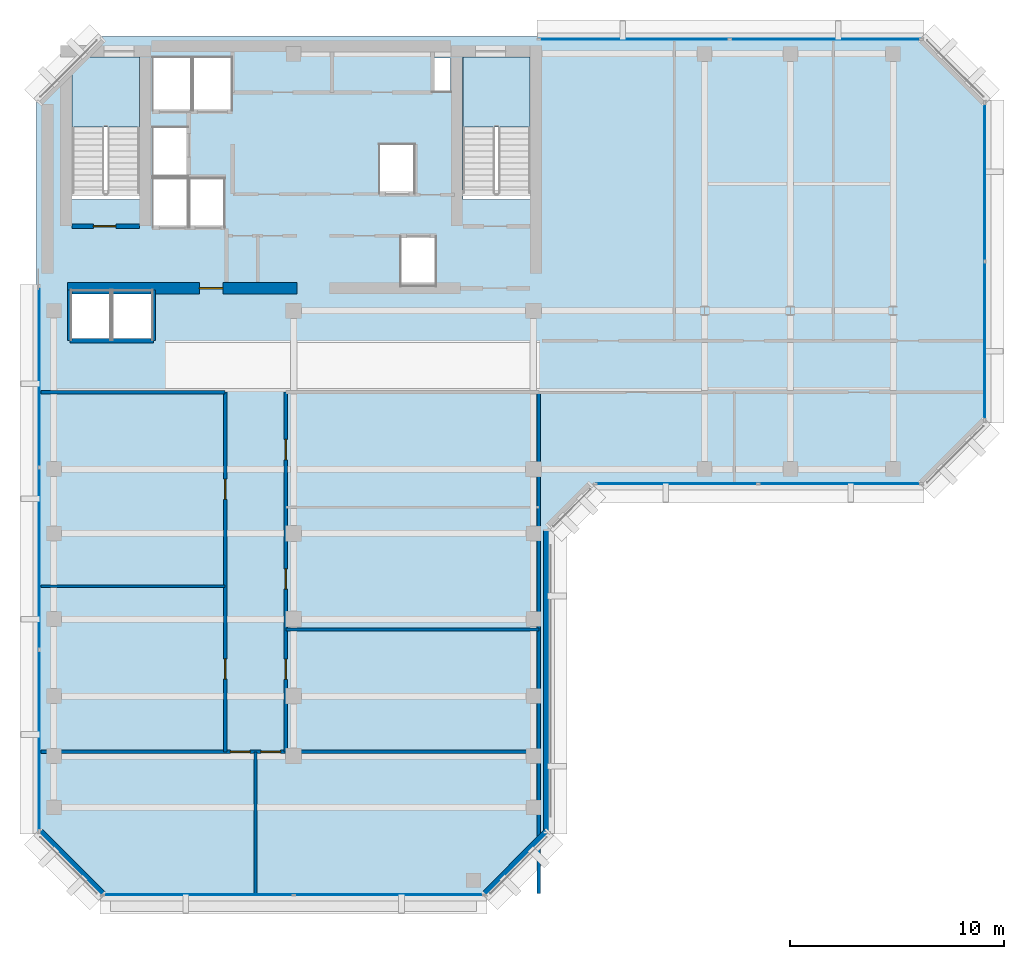
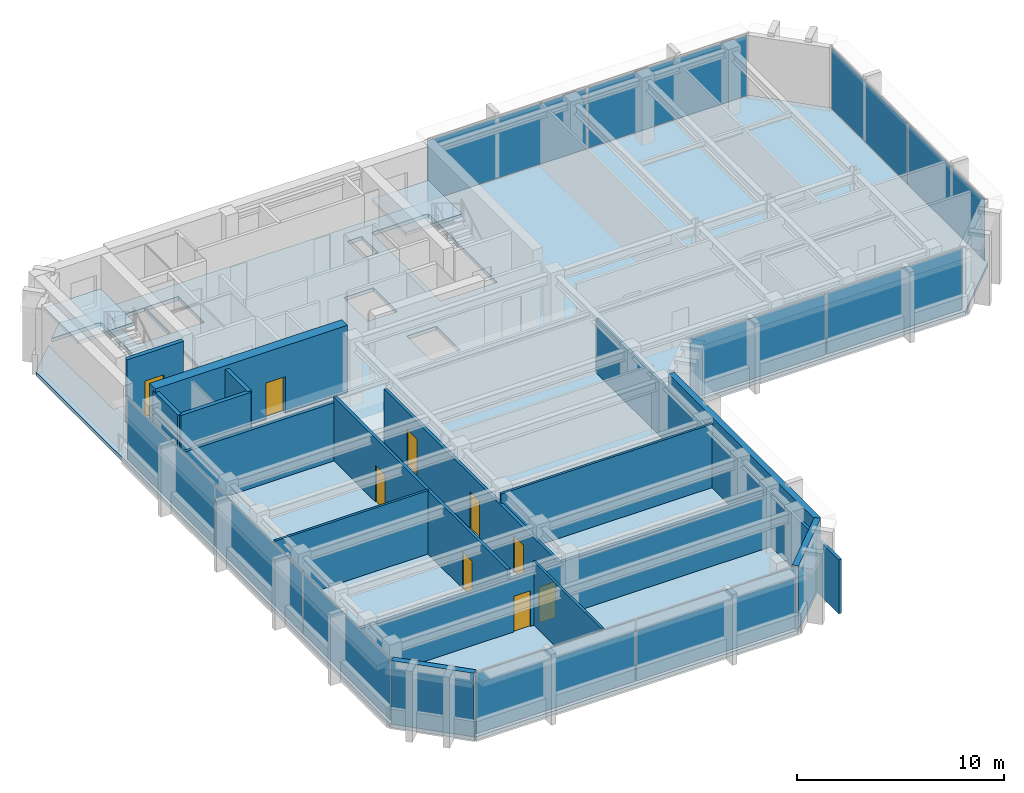
# One storey, part 6 of 11: 16 walls, 11 plates, 9 doors, 3 slabs, 9 openings, 7 elements without a shape of their own.
"""IFC4 building model written with IfcOpenShell, lengths in metres."""

from ifc_helpers import new_model, si_unit, direction, frame, frame_2d, origin, origin_2d, place, context, subcontext, project, spatial, polyline, rectangle, outline, extrude, material, layer, layer_set, type_object, element, fill, aggregate, save


model = new_model("IFC4")

# Units and contexts
model_context = context("Model", 3, precision=1e-05, world=origin(), true_north=direction((0.0, 1.0)))
body_context = subcontext(model_context, "Body", "Model", "MODEL_VIEW")
ifc_project = project(units=[si_unit("LENGTHUNIT", "METRE"), si_unit("AREAUNIT", "SQUARE_METRE"), si_unit("VOLUMEUNIT", "CUBIC_METRE"), si_unit("PLANEANGLEUNIT", "RADIAN"), si_unit("MASSUNIT", "GRAM", prefix="KILO")], contexts=[model_context])

# Site, building, storey
site_placement = place(None, origin())
site = spatial("IfcSite", under=ifc_project, at=site_placement, CompositionType="ELEMENT")
building_placement = place(site_placement, origin())
building = spatial("IfcBuilding", under=site, at=building_placement, Name="Kefirva Bronze Tower", CompositionType="ELEMENT")
storey_placement = place(building_placement, frame((0.0, 0.0, 299.969970703125)))
storey = spatial("IfcBuildingStorey", under=building, at=storey_placement, Name="L73", CompositionType="ELEMENT", Elevation=299.969970703125)

# Stair, slab
ifc_material_1 = material(Name="Concrete C40/50", Category="concrete")
stair_type = type_object("IfcStairType", Name="RC Dogleg Protected Stair 24R", PredefinedType="HALF_TURN_STAIR", material=ifc_material_1)
stair_1_placement = place(storey_placement, origin())
stair_1 = element("IfcStair", 1, at=stair_1_placement, inside=storey, type_object=stair_type, Name="L73 Protected Exit Stair 1", PredefinedType="HALF_TURN_STAIR")
ifc_layer_1 = layer(ifc_material_1, 0.199951171875, Name="Concrete C40/50")
ifc_layer_set_1 = layer_set([ifc_layer_1], Name="Concrete C40/50")
slab_type_1 = type_object("IfcSlabType", Name="RC Stair Landing Slab 200mm", PredefinedType="LANDING", material=ifc_layer_set_1)
slab_1_placement = place(storey_placement, frame((0.0, 0.0, 1.780029296875)))
slab_1 = element("IfcSlab", 2, at=slab_1_placement, type_object=slab_type_1, Name="ST-1 landing 1", PredefinedType="LANDING", context=body_context, shape_type="SweptSolid", body=[
    extrude(outline(polyline([(4.800048828125, 41.780029296875), (4.800048828125, 45.050048828125), (1.64990234375, 45.050048828125), (1.64990234375, 41.780029296875), (4.800048828125, 41.780029296875)])), origin(), (0.0, 0.0, 1.0), 0.199951171875),
])
aggregate(stair_1, [slab_1])

stair_2_placement = place(storey_placement, origin())
stair_2 = element("IfcStair", 3, at=stair_2_placement, inside=storey, type_object=stair_type, Name="L73 Protected Exit Stair 2", PredefinedType="HALF_TURN_STAIR")
slab_2_placement = place(storey_placement, frame((0.0, 0.0, 1.780029296875)))
slab_2 = element("IfcSlab", 4, at=slab_2_placement, type_object=slab_type_1, Name="ST-2 landing 1", PredefinedType="LANDING", context=body_context, shape_type="SweptSolid", body=[
    extrude(outline(polyline([(23.050048828125, 41.780029296875), (23.050048828125, 45.050048828125), (19.89990234375, 45.050048828125), (19.89990234375, 41.780029296875), (23.050048828125, 41.780029296875)])), origin(), (0.0, 0.0, 1.0), 0.199951171875),
])
aggregate(stair_2, [slab_2])

# Slab
ifc_layer_2 = layer(ifc_material_1, 0.219970703125, Name="Concrete C40/50")
ifc_layer_set_2 = layer_set([ifc_layer_2], Name="Concrete C40/50")
slab_type_2 = type_object("IfcSlabType", Name="RC Upper Floor Slab 220mm", PredefinedType="FLOOR", material=ifc_layer_set_2)
slab_3_placement = place(storey_placement, frame((0.0, 0.0, -0.219970703125)))
element("IfcSlab", 5, at=slab_3_placement, inside=storey, type_object=slab_type_2, Name="L73 Structural Floor Slab", PredefinedType="FLOOR", context=body_context, shape_type="SweptSolid", body=[
    extrude(outline(polyline([(0.0, 8.800048828125), (0.0, 43.0), (1.64990234375, 44.64990234375), (1.64990234375, 38.39990234375), (4.800048828125, 38.39990234375), (4.800048828125, 45.050048828125), (2.050048828125, 45.050048828125), (3.0, 46.0), (41.39990234375, 46.0), (44.39990234375, 43.0), (44.39990234375, 28.0), (41.39990234375, 25.0), (26.0, 25.0), (24.0, 23.0), (24.0, 8.800048828125), (21.0, 5.800048828125), (3.0, 5.800048828125), (0.0, 8.800048828125)]), holes=[polyline([(23.050048828125, 45.050048828125), (19.89990234375, 45.050048828125), (19.89990234375, 38.39990234375), (23.050048828125, 38.39990234375), (23.050048828125, 45.050048828125)]), polyline([(19.320068359375, 43.419921875), (19.320068359375, 45.0), (18.52001953125, 45.0), (18.52001953125, 43.419921875), (19.320068359375, 43.419921875)]), polyline([(18.64990234375, 36.64990234375), (17.0, 36.64990234375), (17.0, 34.35009765625), (18.64990234375, 34.35009765625), (18.64990234375, 36.64990234375)]), polyline([(17.64990234375, 38.679931640625), (17.64990234375, 40.97998046875), (16.0, 40.97998046875), (16.0, 38.679931640625), (17.64990234375, 38.679931640625)]), polyline([(9.1201171875, 42.550048828125), (9.1201171875, 45.050048828125), (7.300048828125, 45.050048828125), (7.300048828125, 42.550048828125), (9.1201171875, 42.550048828125)]), polyline([(8.780029296875, 37.10009765625), (8.780029296875, 39.39990234375), (7.139892578125, 39.39990234375), (7.139892578125, 37.10009765625), (8.780029296875, 37.10009765625)]), polyline([(7.239990234375, 42.550048828125), (7.239990234375, 45.050048828125), (5.419921875, 45.050048828125), (5.419921875, 42.550048828125), (7.239990234375, 42.550048828125)]), polyline([(7.06005859375, 37.10009765625), (7.06005859375, 39.39990234375), (5.419921875, 39.39990234375), (5.419921875, 37.10009765625), (7.06005859375, 37.10009765625)]), polyline([(7.06005859375, 41.780029296875), (5.419921875, 41.780029296875), (5.419921875, 39.47998046875), (7.06005859375, 39.47998046875), (7.06005859375, 41.780029296875)]), polyline([(5.39990234375, 31.85009765625), (5.39990234375, 34.14990234375), (3.550048828125, 34.14990234375), (3.550048828125, 31.85009765625), (5.39990234375, 31.85009765625)]), polyline([(3.449951171875, 34.14990234375), (1.60009765625, 34.14990234375), (1.60009765625, 31.85009765625), (3.449951171875, 31.85009765625), (3.449951171875, 34.14990234375)])]), origin(), (0.0, 0.0, 1.0), 0.219970703125),
])

# Curtain wall, plates
ifc_material_2 = material(Name="Bronze anodised aluminium", Category="aluminium")
ifc_layer_3 = layer(ifc_material_2, 0.179931640625, Name="Bronze anodised aluminium")
ifc_layer_set_3 = layer_set([ifc_layer_3], Name="Bronze anodised aluminium")
curtain_wall_type = type_object("IfcCurtainWallType", Name="Unitised Bronze Ribbon Curtain Wall Zone 4", PredefinedType="USERDEFINED", material=ifc_layer_set_3)
curtain_wall_1_placement = place(storey_placement, origin())
curtain_wall_1 = element("IfcCurtainWall", 6, at=curtain_wall_1_placement, inside=storey, type_object=curtain_wall_type, Name="L73 Curtain Wall 1", ObjectType="UNITISED CURTAIN WALL", PredefinedType="USERDEFINED")
ifc_material_3 = material(Name="Laminated low-E double glazing", Category="glass")
ifc_layer_4 = layer(ifc_material_3, 0.031982421875, Name="Laminated low-E double glazing")
ifc_layer_set_4 = layer_set([ifc_layer_4], Name="Laminated low-E double glazing")
plate_type = type_object("IfcPlateType", Name="Solar-Control Low-E Vision Panel 32mm", PredefinedType="CURTAIN_PANEL", material=ifc_layer_set_4)
plate_1_placement = place(storey_placement, frame((7.546142578125, 5.919921875, 0.0751953125), z_axis=(0.0, 0.0, 1.0), x_axis=(1.0, 0.0, 0.0)))
plate_1 = element("IfcPlate", 7, at=plate_1_placement, type_object=plate_type, Name="CW-04 panel 1.1", PredefinedType="CURTAIN_PANEL", context=body_context, shape_type="SweptSolid", body=[
    extrude(rectangle(XDim=8.83251953125, YDim=0.031982421875, at=origin_2d()), origin(), (0.0, 0.0, 1.0), 3.590087890625),
])
plate_2_placement = place(storey_placement, frame((16.453857421875, 5.919921875, 0.0751953125), z_axis=(0.0, 0.0, 1.0), x_axis=(1.0, 0.0, 0.0)))
plate_2 = element("IfcPlate", 8, at=plate_2_placement, type_object=plate_type, Name="CW-04 panel 2.1", PredefinedType="CURTAIN_PANEL", context=body_context, shape_type="SweptSolid", body=[
    extrude(rectangle(XDim=8.83251953125, YDim=0.031982421875, at=origin_2d()), origin(), (0.0, 0.0, 1.0), 3.590087890625),
])
aggregate(curtain_wall_1, [plate_1, plate_2])

curtain_wall_2_placement = place(storey_placement, origin())
curtain_wall_2 = element("IfcCurtainWall", 9, at=curtain_wall_2_placement, inside=storey, type_object=curtain_wall_type, Name="L73 Curtain Wall 2", ObjectType="UNITISED CURTAIN WALL", PredefinedType="USERDEFINED")
plate_3_placement = place(storey_placement, frame((29.896240234375, 25.1201171875, 0.0751953125), z_axis=(0.0, 0.0, 1.0), x_axis=(1.0, 0.0, 0.0)))
plate_3 = element("IfcPlate", 10, at=plate_3_placement, type_object=plate_type, Name="CW-04 panel 1.1", PredefinedType="CURTAIN_PANEL", context=body_context, shape_type="SweptSolid", body=[
    extrude(rectangle(XDim=7.532470703125, YDim=0.031982421875, at=origin_2d()), origin(), (0.0, 0.0, 1.0), 3.590087890625),
])
plate_4_placement = place(storey_placement, frame((37.503662109375, 25.1201171875, 0.0751953125), z_axis=(0.0, 0.0, 1.0), x_axis=(1.0, 0.0, 0.0)))
plate_4 = element("IfcPlate", 11, at=plate_4_placement, type_object=plate_type, Name="CW-04 panel 2.1", PredefinedType="CURTAIN_PANEL", context=body_context, shape_type="SweptSolid", body=[
    extrude(rectangle(XDim=7.532470703125, YDim=0.031982421875, at=origin_2d()), origin(), (0.0, 0.0, 1.0), 3.590087890625),
])
aggregate(curtain_wall_2, [plate_3, plate_4])

curtain_wall_3_placement = place(storey_placement, origin())
curtain_wall_3 = element("IfcCurtainWall", 12, at=curtain_wall_3_placement, inside=storey, type_object=curtain_wall_type, Name="L73 Curtain Wall 3", ObjectType="UNITISED CURTAIN WALL", PredefinedType="USERDEFINED")
plate_5_placement = place(storey_placement, frame((44.280029296875, 31.796142578125, 0.0751953125), z_axis=(0.0, 0.0, 1.0), x_axis=(0.0, 1.0, 0.0)))
plate_5 = element("IfcPlate", 13, at=plate_5_placement, type_object=plate_type, Name="CW-04 panel 1.1", PredefinedType="CURTAIN_PANEL", context=body_context, shape_type="SweptSolid", body=[
    extrude(rectangle(XDim=7.33251953125, YDim=0.031982421875, at=origin_2d()), origin(), (0.0, 0.0, 1.0), 3.590087890625),
])
plate_6_placement = place(storey_placement, frame((44.280029296875, 39.203857421875, 0.0751953125), z_axis=(0.0, 0.0, 1.0), x_axis=(0.0, 1.0, 0.0)))
plate_6 = element("IfcPlate", 14, at=plate_6_placement, type_object=plate_type, Name="CW-04 panel 2.1", PredefinedType="CURTAIN_PANEL", context=body_context, shape_type="SweptSolid", body=[
    extrude(rectangle(XDim=7.33251953125, YDim=0.031982421875, at=origin_2d()), origin(), (0.0, 0.0, 1.0), 3.590087890625),
])
aggregate(curtain_wall_3, [plate_5, plate_6])

curtain_wall_4_placement = place(storey_placement, origin())
curtain_wall_4 = element("IfcCurtainWall", 15, at=curtain_wall_4_placement, inside=storey, type_object=curtain_wall_type, Name="L73 Curtain Wall 4", ObjectType="UNITISED CURTAIN WALL", PredefinedType="USERDEFINED")
plate_7_placement = place(storey_placement, frame((36.84130859375, 45.8798828125, 0.0751953125), z_axis=(0.0, 0.0, 1.0), x_axis=(-1.0, 0.0, 0.0)))
plate_7 = element("IfcPlate", 16, at=plate_7_placement, type_object=plate_type, Name="CW-04 panel 1.1", PredefinedType="CURTAIN_PANEL", context=body_context, shape_type="SweptSolid", body=[
    extrude(rectangle(XDim=8.857421875, YDim=0.031982421875, at=origin_2d()), origin(), (0.0, 0.0, 1.0), 3.590087890625),
])
plate_8_placement = place(storey_placement, frame((27.90869140625, 45.8798828125, 0.0751953125), z_axis=(0.0, 0.0, 1.0), x_axis=(-1.0, 0.0, 0.0)))
plate_8 = element("IfcPlate", 17, at=plate_8_placement, type_object=plate_type, Name="CW-04 panel 2.1", PredefinedType="CURTAIN_PANEL", context=body_context, shape_type="SweptSolid", body=[
    extrude(rectangle(XDim=8.857421875, YDim=0.031982421875, at=origin_2d()), origin(), (0.0, 0.0, 1.0), 3.590087890625),
])
aggregate(curtain_wall_4, [plate_7, plate_8])

curtain_wall_5_placement = place(storey_placement, origin())
curtain_wall_5 = element("IfcCurtainWall", 18, at=curtain_wall_5_placement, inside=storey, type_object=curtain_wall_type, Name="L73 Curtain Wall 5", ObjectType="UNITISED CURTAIN WALL", PredefinedType="USERDEFINED")
plate_9_placement = place(storey_placement, frame((0.1201171875, 30.11962890625, 0.0751953125), z_axis=(0.0, 0.0, 1.0), x_axis=(0.0, -1.0, 0.0)))
plate_9 = element("IfcPlate", 19, at=plate_9_placement, type_object=plate_type, Name="CW-04 panel 1.1", PredefinedType="CURTAIN_PANEL", context=body_context, shape_type="SweptSolid", body=[
    extrude(rectangle(XDim=8.40087890625, YDim=0.031982421875, at=origin_2d()), origin(), (0.0, 0.0, 1.0), 3.590087890625),
])
plate_10_placement = place(storey_placement, frame((0.1201171875, 21.625, 0.0751953125), z_axis=(0.0, 0.0, 1.0), x_axis=(0.0, -1.0, 0.0)))
plate_10 = element("IfcPlate", 20, at=plate_10_placement, type_object=plate_type, Name="CW-04 panel 2.1", PredefinedType="CURTAIN_PANEL", context=body_context, shape_type="SweptSolid", body=[
    extrude(rectangle(XDim=8.438232421875, YDim=0.031982421875, at=origin_2d()), origin(), (0.0, 0.0, 1.0), 3.590087890625),
])
plate_11_placement = place(storey_placement, frame((0.1201171875, 13.13037109375, 0.0751953125), z_axis=(0.0, 0.0, 1.0), x_axis=(0.0, -1.0, 0.0)))
plate_11 = element("IfcPlate", 21, at=plate_11_placement, type_object=plate_type, Name="CW-04 panel 3.1", PredefinedType="CURTAIN_PANEL", context=body_context, shape_type="SweptSolid", body=[
    extrude(rectangle(XDim=8.40087890625, YDim=0.031982421875, at=origin_2d()), origin(), (0.0, 0.0, 1.0), 3.590087890625),
])
aggregate(curtain_wall_5, [plate_9, plate_10, plate_11])

# Walls
ifc_material_4 = material(Name="Gypsum acoustic partition")
ifc_layer_5 = layer(ifc_material_4, 0.1298828125, Name="Gypsum acoustic partition")
ifc_layer_set_5 = layer_set([ifc_layer_5], Name="Gypsum acoustic partition")
wall_type_1 = type_object("IfcWallType", Name="Acoustic Office Partition 130mm", PredefinedType="PARTITIONING", material=ifc_layer_set_5)
wall_1_placement = place(storey_placement, frame((10.219970703125, 5.989990234375, 0.0), z_axis=(0.0, 0.0, 1.0), x_axis=(0.0, 1.0, 0.0)))
element("IfcWall", 22, at=wall_1_placement, inside=storey, type_object=wall_type_1, Name="L73 Partition W-L73-CAPDV", PredefinedType="PARTITIONING", context=body_context, shape_type="SweptSolid", body=[
    extrude(rectangle(XDim=6.610107421875, YDim=0.1298828125, at=frame_2d((3.30517578125, 0.0))), origin(), (0.0, 0.0, 1.0), 3.739990234375),
])
wall_2_placement = place(storey_placement, frame((0.18994140625, 20.327880859375, 0.0), z_axis=(0.0, 0.0, 1.0), x_axis=(1.0, 0.0, 0.0)))
element("IfcWall", 23, at=wall_2_placement, inside=storey, type_object=wall_type_1, Name="L73 Partition W-L73-SWD1", PredefinedType="PARTITIONING", context=body_context, shape_type="SweptSolid", body=[
    extrude(rectangle(XDim=8.610107421875, YDim=0.1298828125, at=frame_2d((4.30517578125, 0.0))), origin(), (0.0, 0.0, 1.0), 3.739990234375),
])
wall_3_placement = place(storey_placement, frame((11.639892578125, 18.31201171875, 0.0), z_axis=(0.0, 0.0, 1.0), x_axis=(1.0, 0.0, 0.0)))
element("IfcWall", 24, at=wall_3_placement, inside=storey, type_object=wall_type_1, Name="L73 Partition W-L73-SED1", PredefinedType="PARTITIONING", context=body_context, shape_type="SweptSolid", body=[
    extrude(rectangle(XDim=11.81005859375, YDim=0.1298828125, at=frame_2d((5.905029296875, 0.0))), origin(), (0.0, 0.0, 1.0), 3.739990234375),
])

# Wall, opening, door
ifc_material_5 = material(Name="Gypsum fireboard shaftwall")
ifc_layer_6 = layer(ifc_material_5, 0.219970703125, Name="Gypsum fireboard shaftwall")
ifc_layer_set_6 = layer_set([ifc_layer_6], Name="Gypsum fireboard shaftwall")
wall_type_2 = type_object("IfcWallType", Name="Fire-Rated Shaft Enclosure Wall 220mm", PredefinedType="PARTITIONING", material=ifc_layer_set_6)
wall_4_placement = place(storey_placement, frame((1.64990234375, 37.14990234375, 0.0), z_axis=(0.0, 0.0, 1.0), x_axis=(1.0, 0.0, 0.0)))
wall_4 = element("IfcWall", 25, at=wall_4_placement, inside=storey, type_object=wall_type_2, Name="L73 Partition W-L73-ST1S", PredefinedType="PARTITIONING", context=body_context, shape_type="SweptSolid", body=[
    extrude(rectangle(XDim=3.150146484375, YDim=0.219970703125, at=frame_2d((1.5751953125, 0.0))), origin(), (0.0, 0.0, 1.0), 3.739990234375),
])
opening_1_placement = place(wall_4_placement, frame((2.050048828125, 0.0, 0.0), z_axis=(0.0, 0.0, 1.0), x_axis=(-1.0, 0.0, 0.0)))
opening_1 = element("IfcOpeningElement", 26, at=opening_1_placement, cuts=wall_4, Name="Opening L73-D001", PredefinedType="OPENING", context=body_context, shape_type="SweptSolid", body=[
    extrude(rectangle(XDim=1.050048828125, YDim=2.14990234375, at=frame_2d((0.52490234375, 1.074951171875))), frame((0.0, 0.1201171875, 0.0), z_axis=(0.0, -1.0, 0.0), x_axis=(1.0, 0.0, 0.0)), (0.0, 0.0, 1.0), 0.239990234375),
])
ifc_material_6 = material(Name="Painted galvanized steel", Category="steel")
door_type_1 = type_object("IfcDoorType", Name="Fire Stair Enclosure Door 1050x2150 FD90S", OperationType="NOTDEFINED", PredefinedType="DOOR", material=ifc_material_6)
door_1_placement = place(opening_1_placement, origin())
door_1 = element("IfcDoor", 27, at=door_1_placement, inside=storey, type_object=door_type_1, Name="Door L73-D001", OperationType="SINGLE_SWING_LEFT", OverallHeight=2.14990234375, OverallWidth=1.050048828125, PredefinedType="DOOR", context=body_context, shape_type="SweptSolid", body=[
    extrude(rectangle(XDim=1.050048828125, YDim=2.14990234375, at=frame_2d((0.52490234375, 1.074951171875))), frame((0.0, 0.02490234375, 0.0), z_axis=(0.0, -1.0, 0.0), x_axis=(1.0, 0.0, 0.0)), (0.0, 0.0, 1.0), 0.050048828125),
])
fill(opening_1, door_1)

# Walls
wall_5_placement = place(storey_placement, frame((1.550048828125, 31.800048828125, 0.0), z_axis=(0.0, 0.0, 1.0), x_axis=(1.0, 0.0, 0.0)))
element("IfcWall", 28, at=wall_5_placement, inside=storey, type_object=wall_type_2, Name="L73 Partition W-L73-OBS", PredefinedType="PARTITIONING", context=body_context, shape_type="SweptSolid", body=[
    extrude(rectangle(XDim=3.89990234375, YDim=0.219970703125, at=frame_2d((1.949951171875, 0.0))), origin(), (0.0, 0.0, 1.0), 3.739990234375),
])
for number, where, z_axis, x_axis, name in (
    (29, (1.550048828125, 31.800048828125, 0.0), (0.0, 0.0, 1.0), (0.0, 1.0, 0.0), "L73 Partition W-L73-OBW"),
    (30, (5.449951171875, 31.800048828125, 0.0), (0.0, 0.0, 1.0), (0.0, 1.0, 0.0), "L73 Partition W-L73-OBE"),
):
    element("IfcWall", number, at=place(storey_placement, frame(where, z_axis=z_axis, x_axis=x_axis)), inside=storey, type_object=wall_type_2, Name=name, PredefinedType="PARTITIONING", context=body_context, shape_type="SweptSolid", body=[
        extrude(rectangle(XDim=2.3798828125, YDim=0.219970703125, at=frame_2d((1.18994140625, 0.0))), origin(), (0.0, 0.0, 1.0), 3.739990234375),
    ])
ifc_material_7 = material(Name="Precast concrete C40/50", Category="concrete")
ifc_layer_7 = layer(ifc_material_7, 0.320068359375, Name="Precast concrete C40/50")
ifc_layer_set_7 = layer_set([ifc_layer_7], Name="Precast concrete C40/50")
wall_type_3 = type_object("IfcWallType", Name="Precast Insulated Exterior Wall 320mm", PredefinedType="SOLIDWALL", material=ifc_layer_set_7)
wall_6_placement = place(storey_placement, frame((20.92578125, 5.951904296875, 0.0), z_axis=(0.0, 0.0, 1.0), x_axis=(0.707077242712, 0.707136318428, 0.0)))
element("IfcWall", 31, at=wall_6_placement, inside=storey, type_object=wall_type_3, Name="L73 Exterior Facade Wall 1", PredefinedType="SOLIDWALL", context=body_context, shape_type="SweptSolid", body=[
    extrude(rectangle(XDim=4.132568359375, YDim=0.320068359375, at=frame_2d((2.06640625, 0.0))), origin(), (0.0, 0.0, 1.0), 3.739990234375),
])
wall_7_placement = place(storey_placement, frame((23.840087890625, 8.85498046875, 0.0), z_axis=(0.0, 0.0, 1.0), x_axis=(0.0, 1.0, 0.0)))
element("IfcWall", 32, at=wall_7_placement, inside=storey, type_object=wall_type_3, Name="L73 Exterior Facade Wall 2", PredefinedType="SOLIDWALL", context=body_context, shape_type="SweptSolid", body=[
    extrude(rectangle(XDim=14.090087890625, YDim=0.320068359375, at=frame_2d((7.044921875, 0.0))), origin(), (0.0, 0.0, 1.0), 3.739990234375),
])
wall_8_placement = place(storey_placement, frame((0.152099609375, 8.874267578125, 0.0), z_axis=(0.0, 0.0, 1.0), x_axis=(0.707077242712, -0.707136318428, 0.0)))
element("IfcWall", 33, at=wall_8_placement, inside=storey, type_object=wall_type_3, Name="L73 Exterior Facade Wall 7", PredefinedType="SOLIDWALL", context=body_context, shape_type="SweptSolid", body=[
    extrude(rectangle(XDim=4.132568359375, YDim=0.320068359375, at=frame_2d((2.06640625, 0.0))), origin(), (0.0, 0.0, 1.0), 3.739990234375),
])

# Wall, openings, doors
ifc_layer_8 = layer(ifc_material_4, 0.159912109375, Name="Gypsum acoustic partition")
ifc_layer_set_8 = layer_set([ifc_layer_8], Name="Gypsum acoustic partition")
wall_type_4 = type_object("IfcWallType", Name="Protected Corridor Partition 160mm", PredefinedType="PARTITIONING", material=ifc_layer_set_8)
wall_9_placement = place(storey_placement, frame((8.800048828125, 12.60009765625, 0.0), z_axis=(0.0, 0.0, 1.0), x_axis=(0.0, 1.0, 0.0)))
wall_9 = element("IfcWall", 34, at=wall_9_placement, inside=storey, type_object=wall_type_4, Name="L73 Partition W-L73-SWCORW", PredefinedType="PARTITIONING", context=body_context, shape_type="SweptSolid", body=[
    extrude(rectangle(XDim=16.7998046875, YDim=0.159912109375, at=frame_2d((8.39990234375, 0.0))), origin(), (0.0, 0.0, 1.0), 3.739990234375),
])
opening_2_placement = place(wall_9_placement, frame((4.3388671875, 0.0, 0.0), z_axis=(0.0, 0.0, 1.0), x_axis=(-1.0, 0.0, 0.0)))
opening_2 = element("IfcOpeningElement", 35, at=opening_2_placement, cuts=wall_9, Name="Opening L73-D-SW1", PredefinedType="OPENING", context=body_context, shape_type="SweptSolid", body=[
    extrude(rectangle(XDim=0.949951171875, YDim=2.14990234375, at=frame_2d((0.47509765625, 1.074951171875))), frame((0.0, 0.08984375, 0.0), z_axis=(0.0, -1.0, 0.0), x_axis=(1.0, 0.0, 0.0)), (0.0, 0.0, 1.0), 0.179931640625),
])
opening_3_placement = place(wall_9_placement, frame((12.739013671875, 0.0, 0.0), z_axis=(0.0, 0.0, 1.0), x_axis=(-1.0, 0.0, 0.0)))
opening_3 = element("IfcOpeningElement", 36, at=opening_3_placement, cuts=wall_9, Name="Opening L73-D-SW2", PredefinedType="OPENING", context=body_context, shape_type="SweptSolid", body=[
    extrude(rectangle(XDim=0.949951171875, YDim=2.14990234375, at=frame_2d((0.47509765625, 1.074951171875))), frame((0.0, 0.08984375, 0.0), z_axis=(0.0, -1.0, 0.0), x_axis=(1.0, 0.0, 0.0)), (0.0, 0.0, 1.0), 0.179931640625),
])
ifc_material_8 = material(Name="Acoustic hardwood oak", Category="wood")
door_type_2 = type_object("IfcDoorType", Name="Office & Meeting Room Door 950x2150", OperationType="NOTDEFINED", PredefinedType="DOOR", material=ifc_material_8)
door_2_placement = place(opening_2_placement, origin())
door_2 = element("IfcDoor", 37, at=door_2_placement, inside=storey, type_object=door_type_2, Name="Door L73-D-SW1", OperationType="SINGLE_SWING_LEFT", OverallHeight=2.14990234375, OverallWidth=0.949951171875, PredefinedType="DOOR", context=body_context, shape_type="SweptSolid", body=[
    extrude(rectangle(XDim=0.949951171875, YDim=2.14990234375, at=frame_2d((0.47509765625, 1.074951171875))), frame((0.0, 0.02490234375, 0.0), z_axis=(0.0, -1.0, 0.0), x_axis=(1.0, 0.0, 0.0)), (0.0, 0.0, 1.0), 0.050048828125),
])
fill(opening_2, door_2)
door_3_placement = place(opening_3_placement, origin())
door_3 = element("IfcDoor", 38, at=door_3_placement, inside=storey, type_object=door_type_2, Name="Door L73-D-SW2", OperationType="SINGLE_SWING_RIGHT", OverallHeight=2.14990234375, OverallWidth=0.949951171875, PredefinedType="DOOR", context=body_context, shape_type="SweptSolid", body=[
    extrude(rectangle(XDim=0.949951171875, YDim=2.14990234375, at=frame_2d((0.47509765625, 1.074951171875))), frame((0.0, 0.02490234375, 0.0), z_axis=(0.0, -1.0, 0.0), x_axis=(1.0, 0.0, 0.0)), (0.0, 0.0, 1.0), 0.050048828125),
])
fill(opening_3, door_3)

wall_10_placement = place(storey_placement, frame((11.639892578125, 12.60009765625, 0.0), z_axis=(0.0, 0.0, 1.0), x_axis=(0.0, 1.0, 0.0)))
wall_10 = element("IfcWall", 39, at=wall_10_placement, inside=storey, type_object=wall_type_4, Name="L73 Partition W-L73-SECORE", PredefinedType="PARTITIONING", context=body_context, shape_type="SweptSolid", body=[
    extrude(rectangle(XDim=16.7998046875, YDim=0.159912109375, at=frame_2d((8.39990234375, 0.0))), origin(), (0.0, 0.0, 1.0), 3.175048828125),
])
opening_4_placement = place(wall_10_placement, frame((3.381103515625, 0.0, 0.0)))
opening_4 = element("IfcOpeningElement", 40, at=opening_4_placement, cuts=wall_10, Name="Opening L73-D-SE1", PredefinedType="OPENING", context=body_context, shape_type="SweptSolid", body=[
    extrude(rectangle(XDim=0.949951171875, YDim=2.14990234375, at=frame_2d((0.47509765625, 1.074951171875))), frame((0.0, 0.08984375, 0.0), z_axis=(0.0, -1.0, 0.0), x_axis=(1.0, 0.0, 0.0)), (0.0, 0.0, 1.0), 0.179931640625),
])
opening_5_placement = place(wall_10_placement, frame((7.593017578125, 0.0, 0.0)))
opening_5 = element("IfcOpeningElement", 41, at=opening_5_placement, cuts=wall_10, Name="Opening L73-D-SE2", PredefinedType="OPENING", context=body_context, shape_type="SweptSolid", body=[
    extrude(rectangle(XDim=0.949951171875, YDim=2.14990234375, at=frame_2d((0.47509765625, 1.074951171875))), frame((0.0, 0.08984375, 0.0), z_axis=(0.0, -1.0, 0.0), x_axis=(1.0, 0.0, 0.0)), (0.0, 0.0, 1.0), 0.179931640625),
])
opening_6_placement = place(wall_10_placement, frame((13.636962890625, 0.0, 0.0)))
opening_6 = element("IfcOpeningElement", 42, at=opening_6_placement, cuts=wall_10, Name="Opening L73-D-SE3", PredefinedType="OPENING", context=body_context, shape_type="SweptSolid", body=[
    extrude(rectangle(XDim=0.949951171875, YDim=2.14990234375, at=frame_2d((0.47509765625, 1.074951171875))), frame((0.0, 0.08984375, 0.0), z_axis=(0.0, -1.0, 0.0), x_axis=(1.0, 0.0, 0.0)), (0.0, 0.0, 1.0), 0.179931640625),
])
door_4_placement = place(opening_4_placement, origin())
door_4 = element("IfcDoor", 43, at=door_4_placement, inside=storey, type_object=door_type_2, Name="Door L73-D-SE1", OperationType="SINGLE_SWING_LEFT", OverallHeight=2.14990234375, OverallWidth=0.949951171875, PredefinedType="DOOR", context=body_context, shape_type="SweptSolid", body=[
    extrude(rectangle(XDim=0.949951171875, YDim=2.14990234375, at=frame_2d((0.47509765625, 1.074951171875))), frame((0.0, 0.02490234375, 0.0), z_axis=(0.0, -1.0, 0.0), x_axis=(1.0, 0.0, 0.0)), (0.0, 0.0, 1.0), 0.050048828125),
])
fill(opening_4, door_4)
door_5_placement = place(opening_5_placement, origin())
door_5 = element("IfcDoor", 44, at=door_5_placement, inside=storey, type_object=door_type_2, Name="Door L73-D-SE2", OperationType="SINGLE_SWING_RIGHT", OverallHeight=2.14990234375, OverallWidth=0.949951171875, PredefinedType="DOOR", context=body_context, shape_type="SweptSolid", body=[
    extrude(rectangle(XDim=0.949951171875, YDim=2.14990234375, at=frame_2d((0.47509765625, 1.074951171875))), frame((0.0, 0.02490234375, 0.0), z_axis=(0.0, -1.0, 0.0), x_axis=(1.0, 0.0, 0.0)), (0.0, 0.0, 1.0), 0.050048828125),
])
fill(opening_5, door_5)
door_6_placement = place(opening_6_placement, origin())
door_6 = element("IfcDoor", 45, at=door_6_placement, inside=storey, type_object=door_type_2, Name="Door L73-D-SE3", OperationType="SINGLE_SWING_LEFT", OverallHeight=2.14990234375, OverallWidth=0.949951171875, PredefinedType="DOOR", context=body_context, shape_type="SweptSolid", body=[
    extrude(rectangle(XDim=0.949951171875, YDim=2.14990234375, at=frame_2d((0.47509765625, 1.074951171875))), frame((0.0, 0.02490234375, 0.0), z_axis=(0.0, -1.0, 0.0), x_axis=(1.0, 0.0, 0.0)), (0.0, 0.0, 1.0), 0.050048828125),
])
fill(opening_6, door_6)

wall_11_placement = place(storey_placement, frame((0.18994140625, 12.60009765625, 0.0), z_axis=(0.0, 0.0, 1.0), x_axis=(1.0, 0.0, 0.0)))
wall_11 = element("IfcWall", 46, at=wall_11_placement, inside=storey, type_object=wall_type_4, Name="L73 Partition W-L73-SBEND", PredefinedType="PARTITIONING", context=body_context, shape_type="SweptSolid", body=[
    extrude(rectangle(XDim=23.260009765625, YDim=0.159912109375, at=frame_2d((11.6298828125, 0.0))), origin(), (0.0, 0.0, 1.0), 3.175048828125),
])
opening_7_placement = place(wall_11_placement, frame((8.860107421875, 0.0, 0.0)))
opening_7 = element("IfcOpeningElement", 47, at=opening_7_placement, cuts=wall_11, Name="Opening L73-D-SEND1", PredefinedType="OPENING", context=body_context, shape_type="SweptSolid", body=[
    extrude(rectangle(XDim=0.919921875, YDim=2.10009765625, at=frame_2d((0.4599609375, 1.050048828125))), frame((0.0, 0.08984375, 0.0), z_axis=(0.0, -1.0, 0.0), x_axis=(1.0, 0.0, 0.0)), (0.0, 0.0, 1.0), 0.179931640625),
])
opening_8_placement = place(wall_11_placement, frame((10.280029296875, 0.0, 0.0)))
opening_8 = element("IfcOpeningElement", 48, at=opening_8_placement, cuts=wall_11, Name="Opening L73-D-SEND2", PredefinedType="OPENING", context=body_context, shape_type="SweptSolid", body=[
    extrude(rectangle(XDim=0.919921875, YDim=2.10009765625, at=frame_2d((0.4599609375, 1.050048828125))), frame((0.0, 0.08984375, 0.0), z_axis=(0.0, -1.0, 0.0), x_axis=(1.0, 0.0, 0.0)), (0.0, 0.0, 1.0), 0.179931640625),
])
ifc_material_9 = material(Name="Moisture-resistant timber", Category="wood")
door_type_3 = type_object("IfcDoorType", Name="Accessible Sanitary & WC Door 920x2100", OperationType="NOTDEFINED", PredefinedType="DOOR", material=ifc_material_9)
door_7_placement = place(opening_7_placement, origin())
door_7 = element("IfcDoor", 49, at=door_7_placement, inside=storey, type_object=door_type_3, Name="Door L73-D-SEND1", OperationType="SINGLE_SWING_LEFT", OverallHeight=2.10009765625, OverallWidth=0.919921875, PredefinedType="DOOR", context=body_context, shape_type="SweptSolid", body=[
    extrude(rectangle(XDim=0.919921875, YDim=2.10009765625, at=frame_2d((0.4599609375, 1.050048828125))), frame((0.0, 0.02490234375, 0.0), z_axis=(0.0, -1.0, 0.0), x_axis=(1.0, 0.0, 0.0)), (0.0, 0.0, 1.0), 0.050048828125),
])
fill(opening_7, door_7)
door_8_placement = place(opening_8_placement, origin())
door_8 = element("IfcDoor", 50, at=door_8_placement, inside=storey, type_object=door_type_3, Name="Door L73-D-SEND2", OperationType="SINGLE_SWING_RIGHT", OverallHeight=2.10009765625, OverallWidth=0.919921875, PredefinedType="DOOR", context=body_context, shape_type="SweptSolid", body=[
    extrude(rectangle(XDim=0.919921875, YDim=2.10009765625, at=frame_2d((0.4599609375, 1.050048828125))), frame((0.0, 0.02490234375, 0.0), z_axis=(0.0, -1.0, 0.0), x_axis=(1.0, 0.0, 0.0)), (0.0, 0.0, 1.0), 0.050048828125),
])
fill(opening_8, door_8)

# Walls
wall_12_placement = place(storey_placement, frame((0.18994140625, 29.39990234375, 0.0), z_axis=(0.0, 0.0, 1.0), x_axis=(1.0, 0.0, 0.0)))
element("IfcWall", 51, at=wall_12_placement, inside=storey, type_object=wall_type_4, Name="L73 Partition W-L73-NWT", PredefinedType="PARTITIONING", context=body_context, shape_type="SweptSolid", body=[
    extrude(rectangle(XDim=8.610107421875, YDim=0.159912109375, at=frame_2d((4.30517578125, 0.0))), origin(), (0.0, 0.0, 1.0), 3.425048828125),
])
wall_13_placement = place(storey_placement, frame((23.449951171875, 5.989990234375, 0.0), z_axis=(0.0, 0.0, 1.0), x_axis=(0.0, 1.0, 0.0)))
element("IfcWall", 52, at=wall_13_placement, inside=storey, type_object=wall_type_4, Name="L73 Partition W-L73-SWEAST", PredefinedType="PARTITIONING", context=body_context, shape_type="SweptSolid", body=[
    extrude(rectangle(XDim=23.409912109375, YDim=0.159912109375, at=frame_2d((11.705078125, 0.0))), origin(), (0.0, 0.0, 1.0), 3.175048828125),
])

# Wall, opening, door
ifc_material_10 = material(Name="Concrete C50/60", Category="concrete")
ifc_layer_9 = layer(ifc_material_10, 0.550048828125, Name="Concrete C50/60")
ifc_layer_set_9 = layer_set([ifc_layer_9], Name="Concrete C50/60")
wall_type_5 = type_object("IfcWallType", Name="RC Rear Core Interior Wall 550mm", PredefinedType="SHEAR", material=ifc_layer_set_9)
wall_14_placement = place(storey_placement, frame((1.449951171875, 34.25, 0.0), z_axis=(0.0, 0.0, 1.0), x_axis=(1.0, 0.0, 0.0)))
wall_14 = element("IfcWall", 53, at=wall_14_placement, inside=storey, type_object=wall_type_5, Name="L73 Rear Core South-West Shear Wall", PredefinedType="SHEAR", context=body_context, shape_type="SweptSolid", body=[
    extrude(rectangle(XDim=10.7099609375, YDim=0.550048828125, at=frame_2d((5.35498046875, 0.0))), origin(), (0.0, 0.0, 1.0), 3.9599609375),
])
opening_9_placement = place(wall_14_placement, frame((7.25, 0.0, 0.0), z_axis=(0.0, 0.0, 1.0), x_axis=(-1.0, 0.0, 0.0)))
opening_9 = element("IfcOpeningElement", 54, at=opening_9_placement, cuts=wall_14, Name="Opening L73-D002", PredefinedType="OPENING", context=body_context, shape_type="SweptSolid", body=[
    extrude(rectangle(XDim=1.10009765625, YDim=2.14990234375, at=frame_2d((0.550048828125, 1.074951171875))), frame((0.0, 0.28515625, 0.0), z_axis=(0.0, -1.0, 0.0), x_axis=(1.0, 0.0, 0.0)), (0.0, 0.0, 1.0), 0.570068359375),
])
door_type_4 = type_object("IfcDoorType", Name="Firefighting Lobby Smoke Door 1100x2150 FD60S", OperationType="NOTDEFINED", PredefinedType="DOOR", material=ifc_material_6)
door_9_placement = place(opening_9_placement, origin())
door_9 = element("IfcDoor", 55, at=door_9_placement, inside=storey, type_object=door_type_4, Name="Door L73-D002", OperationType="SINGLE_SWING_RIGHT", OverallHeight=2.14990234375, OverallWidth=1.10009765625, PredefinedType="DOOR", context=body_context, shape_type="SweptSolid", body=[
    extrude(rectangle(XDim=1.10009765625, YDim=2.14990234375, at=frame_2d((0.550048828125, 1.074951171875))), frame((0.0, 0.02490234375, 0.0), z_axis=(0.0, -1.0, 0.0), x_axis=(1.0, 0.0, 0.0)), (0.0, 0.0, 1.0), 0.050048828125),
])
fill(opening_9, door_9)

save(model, "model.ifc")
